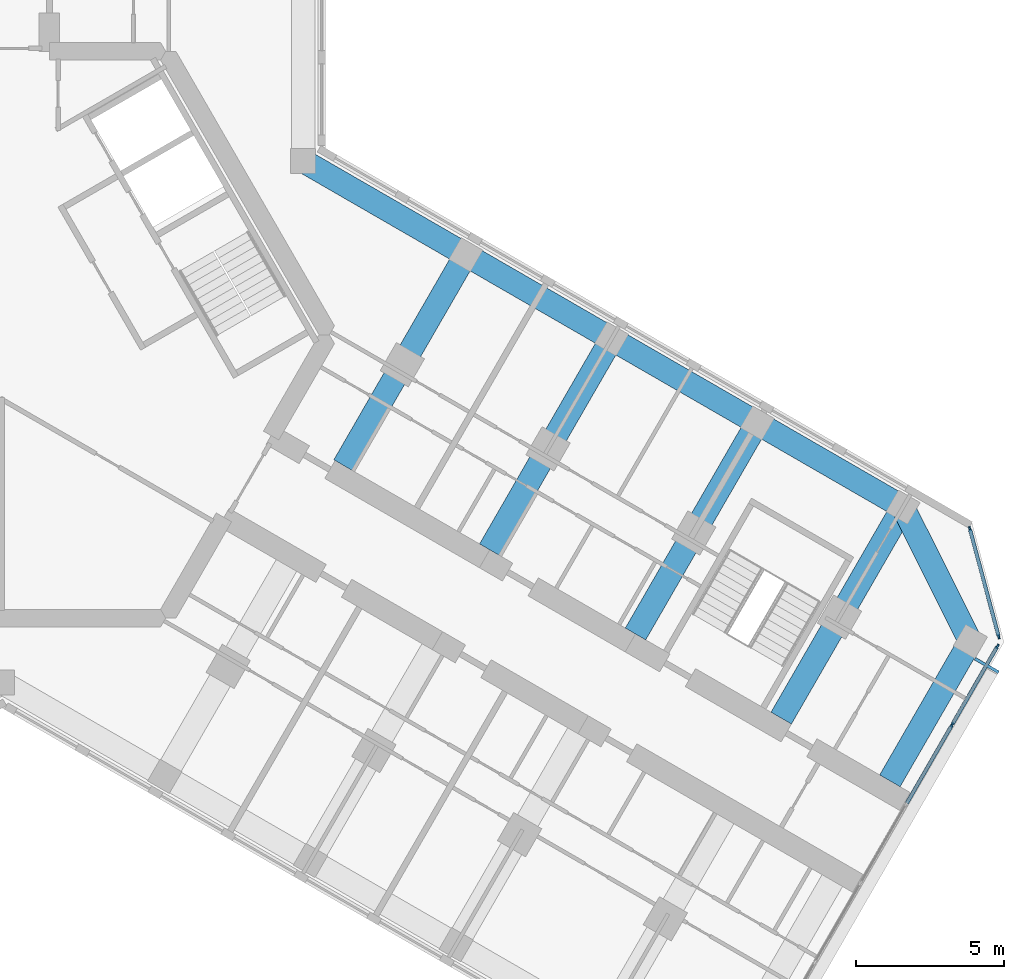
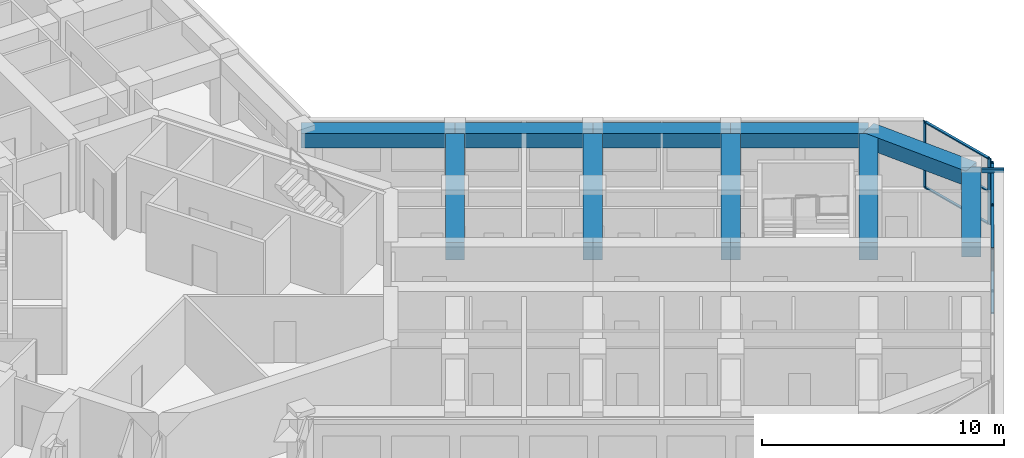
# One storey, part 5 of 16: 12 members, 10 beams, 2 elements without a shape of their own.
"""IFC4 building model written with IfcOpenShell, lengths in metres."""

from ifc_helpers import new_model, si_unit, direction, frame, origin, origin_2d, place, context, subcontext, project, spatial, rectangle, hollow_rectangle, extrude, material, material_profile, profile_set, type_object, element, aggregate, save


model = new_model("IFC4")

# Units and contexts
model_context = context("Model", 3, precision=1e-05, world=origin(), true_north=direction((0.0, 1.0)))
body_context = subcontext(model_context, "Body", "Model", "MODEL_VIEW")
ifc_project = project(units=[si_unit("LENGTHUNIT", "METRE"), si_unit("AREAUNIT", "SQUARE_METRE"), si_unit("VOLUMEUNIT", "CUBIC_METRE"), si_unit("PLANEANGLEUNIT", "RADIAN"), si_unit("MASSUNIT", "GRAM", prefix="KILO")], contexts=[model_context])

# Site, building, storey
site_placement = place(None, origin())
site = spatial("IfcSite", under=ifc_project, at=site_placement, CompositionType="ELEMENT")
building_placement = place(site_placement, origin())
building = spatial("IfcBuilding", under=site, at=building_placement, Name="Kosmar Iwan School Tower", CompositionType="ELEMENT")
storey_placement = place(building_placement, frame((0.0, 0.0, 253.199951171875)))
storey = spatial("IfcBuildingStorey", under=building, at=storey_placement, Name="L64", CompositionType="ELEMENT", Elevation=253.199951171875)

# Member
ifc_material_1 = material(Name="Steel S355", Category="steel")
ifc_material_profile_1 = material_profile(ifc_material_1, hollow_rectangle(XDim=0.10009765625, YDim=0.199951171875, WallThickness=0.008056640625, at=origin_2d()), Name="RHS 200x100x8")
ifc_profile_set_1 = profile_set([ifc_material_profile_1], Name="Steel S355")
member_type_1 = type_object("IfcMemberType", Name="Fin bracket RHS 200x100", PredefinedType="USERDEFINED", material=ifc_profile_set_1)
member_1_placement = place(storey_placement, frame((32.9541015625, -10.971923828125, 3.47509765625), z_axis=(0.865943820382, -0.500141279983, 0.0), x_axis=(0.500141279983, 0.865943820382, 0.0)))
element("IfcMember", 1, at=member_1_placement, inside=storey, type_object=member_type_1, Name="Fin bracket L65", ObjectType="FIN BRACKET", PredefinedType="USERDEFINED", context=body_context, shape_type="SweptSolid", body=[
    extrude(hollow_rectangle(XDim=0.10009765625, YDim=0.199951171875, WallThickness=0.008056640625, at=origin_2d()), origin(), (0.0, 0.0, 1.0), 0.925048828125),
])

# Curtain wall, members
ifc_material_2 = material(Name="Dark glass in black aluminium frame", Category="aluminium")
curtain_wall_type_1 = type_object("IfcCurtainWallType", Name="Tower curtain wall dark glass", PredefinedType="USERDEFINED", material=ifc_material_2)
curtain_wall_1_placement = place(storey_placement, origin())
curtain_wall_1 = element("IfcCurtainWall", 2, at=curtain_wall_1_placement, inside=storey, type_object=curtain_wall_type_1, Name="Curtain wall L64-F01", ObjectType="UNITISED CURTAIN WALL", PredefinedType="USERDEFINED")
ifc_material_3 = material(Name="Black anodised aluminium", Category="aluminium")
ifc_material_profile_2 = material_profile(ifc_material_3, rectangle(XDim=0.06005859375, YDim=0.159912109375, at=origin_2d()), Name="MULLION 60x160")
ifc_profile_set_2 = profile_set([ifc_material_profile_2], Name="Black anodised aluminium")
member_type_2 = type_object("IfcMemberType", Name="Mullion 60x160", PredefinedType="MULLION", material=ifc_profile_set_2)
member_2_placement = place(storey_placement, frame((32.1806640625, -13.21142578125, 0.0), z_axis=(0.0, 0.0, 1.0), x_axis=(-0.866025405329, 0.499999997325, 0.0)))
member_2 = element("IfcMember", 3, at=member_2_placement, type_object=member_type_2, Name="CW1 mullion 5", PredefinedType="MULLION", context=body_context, shape_type="SweptSolid", body=[
    extrude(rectangle(XDim=0.06005859375, YDim=0.159912109375, at=origin_2d()), origin(), (0.0, 0.0, 1.0), 3.35009765625),
])
member_3_placement = place(storey_placement, frame((33.71533203125, -10.55322265625, 0.0), z_axis=(0.0, 0.0, 1.0), x_axis=(-0.866025405329, 0.499999997325, 0.0)))
member_3 = element("IfcMember", 4, at=member_3_placement, type_object=member_type_2, Name="CW1 mullion 6", PredefinedType="MULLION", context=body_context, shape_type="SweptSolid", body=[
    extrude(rectangle(XDim=0.06005859375, YDim=0.159912109375, at=origin_2d()), origin(), (0.0, 0.0, 1.0), 3.35009765625),
])

ifc_material_4 = material(Name="Dark glass in black aluminium frame", Category="aluminium")
curtain_wall_type_2 = type_object("IfcCurtainWallType", Name="Chamfer curtain wall dark glass", PredefinedType="USERDEFINED", material=ifc_material_4)
curtain_wall_2_placement = place(storey_placement, origin())
curtain_wall_2 = element("IfcCurtainWall", 5, at=curtain_wall_2_placement, inside=storey, type_object=curtain_wall_type_2, Name="Curtain wall L64-F02", ObjectType="FACETED CURTAIN WALL", PredefinedType="USERDEFINED")
member_4_placement = place(storey_placement, frame((33.7587890625, -10.2236328125, 0.0), z_axis=(0.0, 0.0, 1.0), x_axis=(-0.965925875495, -0.258818861462, 0.0)))
member_4 = element("IfcMember", 6, at=member_4_placement, type_object=member_type_2, Name="CW2 mullion 1", PredefinedType="MULLION", context=body_context, shape_type="SweptSolid", body=[
    extrude(rectangle(XDim=0.06005859375, YDim=0.159912109375, at=origin_2d()), origin(), (0.0, 0.0, 1.0), 3.35009765625),
])
member_5_placement = place(storey_placement, frame((32.78076171875, -6.5732421875, 0.0), z_axis=(0.0, 0.0, 1.0), x_axis=(-0.965925875495, -0.258818861462, 0.0)))
member_5 = element("IfcMember", 7, at=member_5_placement, type_object=member_type_2, Name="CW2 mullion 2", PredefinedType="MULLION", context=body_context, shape_type="SweptSolid", body=[
    extrude(rectangle(XDim=0.06005859375, YDim=0.159912109375, at=origin_2d()), origin(), (0.0, 0.0, 1.0), 3.35009765625),
])

# Beams
ifc_material_5 = material(Name="Concrete C50/60", Category="concrete")
ifc_material_profile_3 = material_profile(ifc_material_5, rectangle(XDim=0.800048828125, YDim=0.75, at=origin_2d()), Name="RC 800x750")
ifc_profile_set_3 = profile_set([ifc_material_profile_3], Name="Concrete C50/60")
beam_type_1 = type_object("IfcBeamType", Name="RC edge beam 800x750", PredefinedType="BEAM", material=ifc_profile_set_3)
beam_1_placement = place(storey_placement, frame((10.199951171875, 5.888916015625, 2.97509765625), z_axis=(0.866030912664, -0.49999045822, 0.0), x_axis=(0.49999045822, 0.866030912664, 0.0)))
element("IfcBeam", 8, at=beam_1_placement, inside=storey, type_object=beam_type_1, Name="Edge beam CL1", PredefinedType="BEAM", context=body_context, shape_type="SweptSolid", body=[
    extrude(rectangle(XDim=0.800048828125, YDim=0.75, at=origin_2d()), origin(), (0.0, 0.0, 1.0), 6.36083984375),
])
beam_2_placement = place(storey_placement, frame((15.708740234375, 2.70849609375, 2.97509765625), z_axis=(0.866025820012, -0.499999279071, 0.0), x_axis=(0.499999279071, 0.866025820012, 0.0)))
element("IfcBeam", 9, at=beam_2_placement, inside=storey, type_object=beam_type_1, Name="Edge beam CL2", PredefinedType="BEAM", context=body_context, shape_type="SweptSolid", body=[
    extrude(rectangle(XDim=0.800048828125, YDim=0.75, at=origin_2d()), origin(), (0.0, 0.0, 1.0), 5.7001953125),
])
for number, where, z_axis, x_axis, name in (
    (10, (20.645263671875, -0.1416015625, 2.97509765625), (0.866033658841, -0.49998570155, 0.0), (0.49998570155, 0.866033658841, 0.0), "Edge beam CL3"),
    (11, (25.58154296875, -2.991455078125, 2.97509765625), (0.866015111908, -0.50001782563, 0.0), (0.50001782563, 0.866015111908, 0.0), "Edge beam CL4"),
):
    element("IfcBeam", number, at=place(storey_placement, frame(where, z_axis=z_axis, x_axis=x_axis)), inside=storey, type_object=beam_type_1, Name=name, PredefinedType="BEAM", context=body_context, shape_type="SweptSolid", body=[
        extrude(rectangle(XDim=0.800048828125, YDim=0.75, at=origin_2d()), origin(), (0.0, 0.0, 1.0), 5.699951171875),
    ])
ifc_material_6 = material(Name="Concrete C50/60", Category="concrete")
ifc_material_profile_4 = material_profile(ifc_material_6, rectangle(XDim=0.800048828125, YDim=0.75, at=origin_2d()), Name="RC 800x750")
ifc_profile_set_4 = profile_set([ifc_material_profile_4], Name="Concrete C50/60")
beam_type_2 = type_object("IfcBeamType", Name="RC tip beam 800x750", PredefinedType="BEAM", material=ifc_profile_set_4)
beam_3_placement = place(storey_placement, frame((30.517822265625, -5.841552734375, 2.97509765625), z_axis=(0.44809604203, -0.893985423325, 0.0), x_axis=(0.893985423325, 0.44809604203, 0.0)))
element("IfcBeam", 12, at=beam_3_placement, inside=storey, type_object=beam_type_2, Name="Tip beam CL", PredefinedType="BEAM", context=body_context, shape_type="SweptSolid", body=[
    extrude(rectangle(XDim=0.800048828125, YDim=0.75, at=origin_2d()), origin(), (0.0, 0.0, 1.0), 5.08935546875),
])
beam_4_placement = place(storey_placement, frame((32.79833984375, -10.391357421875, 2.97509765625), z_axis=(-0.49996933381, -0.866043108194, 0.0), x_axis=(0.866043108194, -0.49996933381, 0.0)))
element("IfcBeam", 13, at=beam_4_placement, inside=storey, type_object=beam_type_2, Name="Tip beam CL to corridor wall", PredefinedType="BEAM", context=body_context, shape_type="SweptSolid", body=[
    extrude(rectangle(XDim=0.800048828125, YDim=0.75, at=origin_2d()), origin(), (0.0, 0.0, 1.0), 5.449951171875),
])
ifc_material_7 = material(Name="Concrete C50/60", Category="concrete")
ifc_material_profile_5 = material_profile(ifc_material_7, rectangle(XDim=0.800048828125, YDim=0.89990234375, at=origin_2d()), Name="RC 800x900")
ifc_profile_set_5 = profile_set([ifc_material_profile_5], Name="Concrete C50/60")
beam_type_3 = type_object("IfcBeamType", Name="RC transverse beam 800x900", PredefinedType="BEAM", material=ifc_profile_set_5)
beam_5_placement = place(storey_placement, frame((15.708740234375, 2.70849609375, 2.900146484375), z_axis=(-0.499996545922, -0.866027397988, 0.0), x_axis=(0.866027397988, -0.499996545922, 0.0)))
element("IfcBeam", 14, at=beam_5_placement, inside=storey, type_object=beam_type_3, Name="Transverse beam CL1", PredefinedType="BEAM", context=body_context, shape_type="SweptSolid", body=[
    extrude(rectangle(XDim=0.800048828125, YDim=0.89990234375, at=origin_2d()), origin(), (0.0, 0.0, 1.0), 8.25),
])
beam_6_placement = place(storey_placement, frame((20.645263671875, -0.1416015625, 2.900146484375), z_axis=(-0.500009360108, -0.866019999656, 0.0), x_axis=(0.866019999656, -0.500009360108, 0.0)))
element("IfcBeam", 15, at=beam_6_placement, inside=storey, type_object=beam_type_3, Name="Transverse beam CL2", PredefinedType="BEAM", context=body_context, shape_type="SweptSolid", body=[
    extrude(rectangle(XDim=0.800048828125, YDim=0.89990234375, at=origin_2d()), origin(), (0.0, 0.0, 1.0), 8.249755859375),
])
for number, where, z_axis, x_axis, name in (
    (16, (25.58154296875, -2.991455078125, 2.900146484375), (-0.499996545922, -0.866027397988, 0.0), (0.866027397988, -0.499996545922, 0.0), "Transverse beam CL3"),
    (17, (30.517822265625, -5.841552734375, 2.900146484375), (-0.499996545922, -0.866027397988, 0.0), (0.866027397988, -0.499996545922, 0.0), "Transverse beam CL4"),
):
    element("IfcBeam", number, at=place(storey_placement, frame(where, z_axis=z_axis, x_axis=x_axis)), inside=storey, type_object=beam_type_3, Name=name, PredefinedType="BEAM", context=body_context, shape_type="SweptSolid", body=[
        extrude(rectangle(XDim=0.800048828125, YDim=0.89990234375, at=origin_2d()), origin(), (0.0, 0.0, 1.0), 8.25),
    ])

# Member
ifc_material_8 = material(Name="Black anodised aluminium", Category="aluminium")
ifc_material_profile_6 = material_profile(ifc_material_8, rectangle(XDim=0.1201171875, YDim=0.06005859375, at=origin_2d()), Name="TRANSOM 60x120")
ifc_profile_set_6 = profile_set([ifc_material_profile_6], Name="Black anodised aluminium")
member_type_3 = type_object("IfcMemberType", Name="Transom 60x120", PredefinedType="USERDEFINED", material=ifc_profile_set_6)
member_6_placement = place(storey_placement, frame((30.64599609375, -15.869384765625, 0.030029296875), z_axis=(0.500035348339, 0.866004994449, 0.0), x_axis=(-0.866004994449, 0.500035348339, 0.0)))
member_6 = element("IfcMember", 18, at=member_6_placement, type_object=member_type_3, Name="CW1 transom 4.1", ObjectType="TRANSOM", PredefinedType="USERDEFINED", context=body_context, shape_type="SweptSolid", body=[
    extrude(rectangle(XDim=0.1201171875, YDim=0.06005859375, at=origin_2d()), origin(), (0.0, 0.0, 1.0), 3.039306640625),
])

member_7_placement = place(storey_placement, frame((30.64599609375, -15.869384765625, 3.320068359375), z_axis=(0.500035348339, 0.866004994449, 0.0), x_axis=(-0.866004994449, 0.500035348339, 0.0)))
member_7 = element("IfcMember", 19, at=member_7_placement, type_object=member_type_3, Name="CW1 transom 4.2", ObjectType="TRANSOM", PredefinedType="USERDEFINED", context=body_context, shape_type="SweptSolid", body=[
    extrude(rectangle(XDim=0.1201171875, YDim=0.06005859375, at=origin_2d()), origin(), (0.0, 0.0, 1.0), 3.039306640625),
])

member_8_placement = place(storey_placement, frame((32.19580078125, -13.185302734375, 0.030029296875), z_axis=(0.500022102064, 0.866012642776, 0.0), x_axis=(-0.866012642776, 0.500022102064, 0.0)))
member_8 = element("IfcMember", 20, at=member_8_placement, type_object=member_type_3, Name="CW1 transom 5.1", ObjectType="TRANSOM", PredefinedType="USERDEFINED", context=body_context, shape_type="SweptSolid", body=[
    extrude(rectangle(XDim=0.1201171875, YDim=0.06005859375, at=origin_2d()), origin(), (0.0, 0.0, 1.0), 3.009033203125),
])

member_9_placement = place(storey_placement, frame((32.19580078125, -13.185302734375, 3.320068359375), z_axis=(0.500022102064, 0.866012642776, 0.0), x_axis=(-0.866012642776, 0.500022102064, 0.0)))
member_9 = element("IfcMember", 21, at=member_9_placement, type_object=member_type_3, Name="CW1 transom 5.2", ObjectType="TRANSOM", PredefinedType="USERDEFINED", context=body_context, shape_type="SweptSolid", body=[
    extrude(rectangle(XDim=0.1201171875, YDim=0.06005859375, at=origin_2d()), origin(), (0.0, 0.0, 1.0), 3.009033203125),
])

aggregate(curtain_wall_1, [member_2, member_3, member_6, member_7, member_8, member_9])

member_10_placement = place(storey_placement, frame((33.7509765625, -10.194580078125, 0.030029296875), z_axis=(-0.258843273983, 0.965919333854, 0.0), x_axis=(-0.965919333854, -0.258843273983, 0.0)))
member_10 = element("IfcMember", 22, at=member_10_placement, type_object=member_type_3, Name="CW2 transom 1.1", ObjectType="TRANSOM", PredefinedType="USERDEFINED", context=body_context, shape_type="SweptSolid", body=[
    extrude(rectangle(XDim=0.1201171875, YDim=0.06005859375, at=origin_2d()), origin(), (0.0, 0.0, 1.0), 3.718994140625),
])

member_11_placement = place(storey_placement, frame((33.7509765625, -10.194580078125, 1.675048828125), z_axis=(-0.258843273983, 0.965919333854, 0.0), x_axis=(-0.965919333854, -0.258843273983, 0.0)))
member_11 = element("IfcMember", 23, at=member_11_placement, type_object=member_type_3, Name="CW2 transom 1.2", ObjectType="TRANSOM", PredefinedType="USERDEFINED", context=body_context, shape_type="SweptSolid", body=[
    extrude(rectangle(XDim=0.1201171875, YDim=0.06005859375, at=origin_2d()), origin(), (0.0, 0.0, 1.0), 3.718994140625),
])

member_12_placement = place(storey_placement, frame((33.7509765625, -10.194580078125, 3.320068359375), z_axis=(-0.258843273983, 0.965919333854, 0.0), x_axis=(-0.965919333854, -0.258843273983, 0.0)))
member_12 = element("IfcMember", 24, at=member_12_placement, type_object=member_type_3, Name="CW2 transom 1.3", ObjectType="TRANSOM", PredefinedType="USERDEFINED", context=body_context, shape_type="SweptSolid", body=[
    extrude(rectangle(XDim=0.1201171875, YDim=0.06005859375, at=origin_2d()), origin(), (0.0, 0.0, 1.0), 3.718994140625),
])

aggregate(curtain_wall_2, [member_4, member_5, member_10, member_11, member_12])

save(model, "model.ifc")
